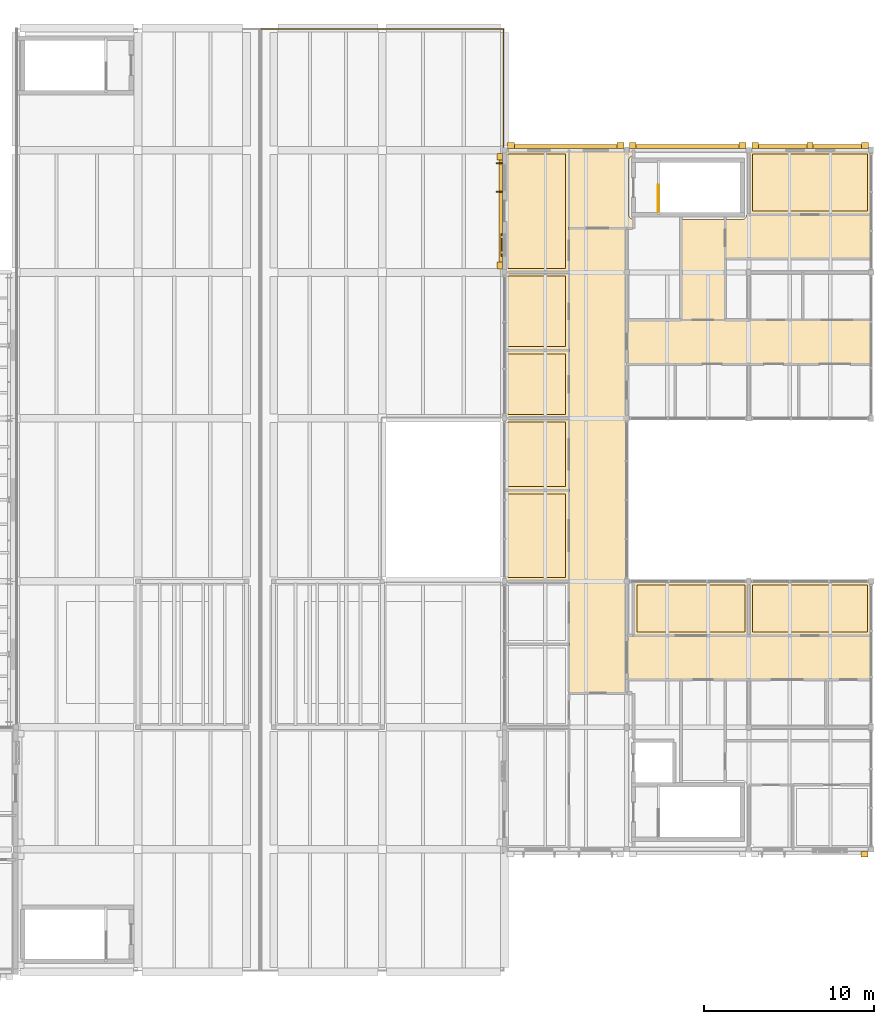
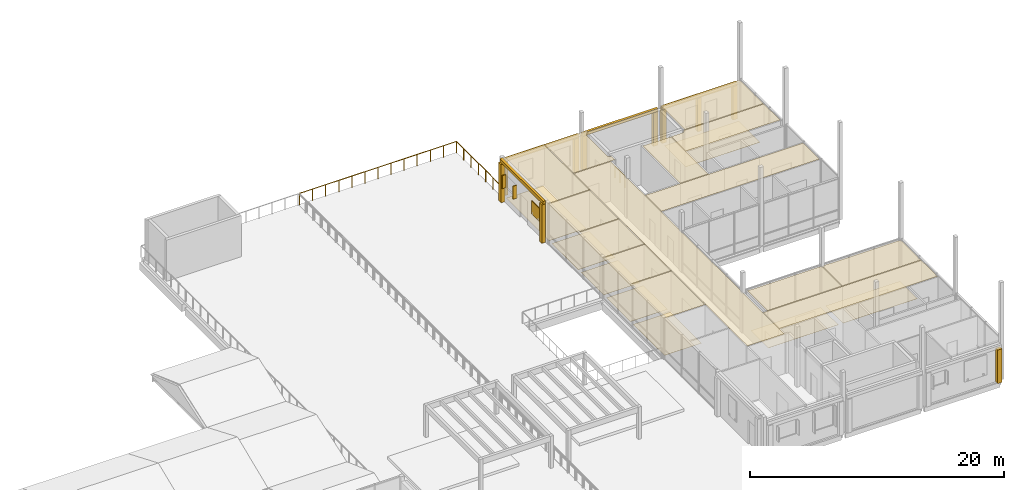
# One storey, part 115 of 115: 36 coverings, 3 shading devices, 2 railings.
"""IFC4 building model written with IfcOpenShell, lengths in metres."""

from ifc_helpers import new_model, si_unit, direction, frame, origin, origin_2d, place, context, subcontext, project, spatial, polyline, rectangle, circle, outline, extrude, material, layer, layer_set, type_object, element, save


model = new_model("IFC4")

# Units and contexts
model_context = context("Model", 3, precision=1e-05, world=origin(), true_north=direction((0.0, 1.0)))
body_context = subcontext(model_context, "Body", "Model", "MODEL_VIEW")
ifc_project = project(units=[si_unit("LENGTHUNIT", "METRE"), si_unit("AREAUNIT", "SQUARE_METRE"), si_unit("VOLUMEUNIT", "CUBIC_METRE"), si_unit("PLANEANGLEUNIT", "RADIAN"), si_unit("MASSUNIT", "GRAM", prefix="KILO")], contexts=[model_context])

# Site, building, storey
site_placement = place(None, origin())
site = spatial("IfcSite", under=ifc_project, at=site_placement, CompositionType="ELEMENT")
building_placement = place(site_placement, origin())
building = spatial("IfcBuilding", under=site, at=building_placement, Name="Hawrajan Terrace Health Centre", CompositionType="ELEMENT")
storey_placement = place(building_placement, frame((0.0, 0.0, 9.0)))
storey = spatial("IfcBuildingStorey", under=building, at=storey_placement, Name="L02", CompositionType="ELEMENT", Elevation=9.0)

# Coverings
ifc_material_1 = material(Name="Precast concrete C40/50", Category="concrete")
ifc_layer_1 = layer(ifc_material_1, 0.219970703125)
ifc_layer_set_1 = layer_set([ifc_layer_1], Name="Precast concrete C40/50")
covering_type_1 = type_object("IfcCoveringType", Name="ArtDecoCorniceBand", PredefinedType="CLADDING", material=ifc_layer_set_1)
covering_1_placement = place(storey_placement, frame((147.409912109375, 52.824951171875, 3.22998046875), z_axis=(0.0, 0.0, 1.0), x_axis=(1.0, 0.0, 0.0)))
element("IfcCovering", 1, at=covering_1_placement, inside=storey, type_object=covering_type_1, Name="Art Deco limestone cornice band CRN-L02-0148", PredefinedType="CLADDING", context=body_context, shape_type="SweptSolid", body=[
    extrude(rectangle(XDim=6.860107421875, YDim=0.219970703125, at=origin_2d()), origin(), (0.0, 0.0, 1.0), 0.300048828125),
])
covering_2_placement = place(storey_placement, frame((143.574951171875, 49.010009765625, 3.68994140625), z_axis=(0.0, 0.0, 1.0), x_axis=(0.0, 1.0, 0.0)))
element("IfcCovering", 2, at=covering_2_placement, inside=storey, type_object=covering_type_1, Name="Art Deco limestone cornice band CRN-L02-0149", PredefinedType="CLADDING", context=body_context, shape_type="SweptSolid", body=[
    extrude(rectangle(XDim=6.820068359375, YDim=0.219970703125, at=origin_2d()), origin(), (0.0, 0.0, 1.0), 0.300048828125),
])
for number, where, z_axis, x_axis, name in (
    (3, (154.590087890625, 52.824951171875, 3.22998046875), (0.0, 0.0, 1.0), (1.0, 0.0, 0.0), "Art Deco limestone cornice band CRN-L02-0151"),
    (4, (161.81005859375, 52.824951171875, 3.22998046875), (0.0, 0.0, 1.0), (1.0, 0.0, 0.0), "Art Deco limestone cornice band CRN-L02-0153"),
):
    element("IfcCovering", number, at=place(storey_placement, frame(where, z_axis=z_axis, x_axis=x_axis)), inside=storey, type_object=covering_type_1, Name=name, PredefinedType="CLADDING", context=body_context, shape_type="SweptSolid", body=[
        extrude(rectangle(XDim=6.860107421875, YDim=0.219970703125, at=origin_2d()), origin(), (0.0, 0.0, 1.0), 0.300048828125),
    ])
ifc_layer_2 = layer(ifc_material_1, 0.340087890625)
ifc_layer_set_2 = layer_set([ifc_layer_2], Name="Precast concrete C40/50")
covering_type_2 = type_object("IfcCoveringType", Name="ArtDecoStonePilaster", PredefinedType="CLADDING", material=ifc_layer_set_2)
for number, where, z_axis, x_axis, name in (
    (5, (144.179931640625, 52.885009765625, 0.0), (0.0, 0.0, 1.0), (1.0, 0.0, 0.0), "Art Deco fluted limestone pilaster FPIL-L02-0286"),
    (6, (150.639892578125, 52.885009765625, 0.0), (0.0, 0.0, 1.0), (1.0, 0.0, 0.0), "Art Deco fluted limestone pilaster FPIL-L02-0287"),
):
    element("IfcCovering", number, at=place(storey_placement, frame(where, z_axis=z_axis, x_axis=x_axis)), inside=storey, type_object=covering_type_2, Name=name, PredefinedType="CLADDING", context=body_context, shape_type="SweptSolid", body=[
        extrude(rectangle(XDim=0.39990234375, YDim=0.340087890625, at=origin_2d()), origin(), (0.0, 0.0, 1.0), 3.219970703125),
    ])
for number, where, z_axis, x_axis, name in (
    (7, (143.514892578125, 45.800048828125, 0.0), (0.0, 0.0, 1.0), (0.0, 1.0, 0.0), "Art Deco fluted limestone pilaster FPIL-L02-0288"),
    (8, (143.514892578125, 52.219970703125, 0.0), (0.0, 0.0, 1.0), (0.0, 1.0, 0.0), "Art Deco fluted limestone pilaster FPIL-L02-0289"),
):
    element("IfcCovering", number, at=place(storey_placement, frame(where, z_axis=z_axis, x_axis=x_axis)), inside=storey, type_object=covering_type_2, Name=name, PredefinedType="CLADDING", context=body_context, shape_type="SweptSolid", body=[
        extrude(rectangle(XDim=0.39990234375, YDim=0.340087890625, at=origin_2d()), origin(), (0.0, 0.0, 1.0), 3.679931640625),
    ])
for number, where, z_axis, x_axis, name in (
    (9, (151.360107421875, 52.885009765625, 0.0), (0.0, 0.0, 1.0), (1.0, 0.0, 0.0), "Art Deco fluted limestone pilaster FPIL-L02-0292"),
    (10, (157.820068359375, 52.885009765625, 0.0), (0.0, 0.0, 1.0), (1.0, 0.0, 0.0), "Art Deco fluted limestone pilaster FPIL-L02-0293"),
    (11, (165.02001953125, 11.114990234375, 0.0), (0.0, 0.0, 1.0), (1.0, 0.0, 0.0), "Art Deco fluted limestone pilaster FPIL-L02-0295"),
    (12, (158.580078125, 52.885009765625, 0.0), (0.0, 0.0, 1.0), (1.0, 0.0, 0.0), "Art Deco fluted limestone pilaster FPIL-L02-0296"),
    (13, (165.0400390625, 52.885009765625, 0.0), (0.0, 0.0, 1.0), (1.0, 0.0, 0.0), "Art Deco fluted limestone pilaster FPIL-L02-0297"),
):
    element("IfcCovering", number, at=place(storey_placement, frame(where, z_axis=z_axis, x_axis=x_axis)), inside=storey, type_object=covering_type_2, Name=name, PredefinedType="CLADDING", context=body_context, shape_type="SweptSolid", body=[
        extrude(rectangle(XDim=0.39990234375, YDim=0.340087890625, at=origin_2d()), origin(), (0.0, 0.0, 1.0), 3.219970703125),
    ])
covering_3_placement = place(storey_placement, frame((161.81005859375, 52.885009765625, 0.0), z_axis=(0.0, 0.0, 1.0), x_axis=(1.0, 0.0, 0.0)))
element("IfcCovering", 14, at=covering_3_placement, inside=storey, type_object=covering_type_2, Name="Art Deco mullion pilaster FPIL-L02-0298", PredefinedType="CLADDING", context=body_context, shape_type="SweptSolid", body=[
    extrude(rectangle(XDim=0.360107421875, YDim=0.340087890625, at=origin_2d()), origin(), (0.0, 0.0, 1.0), 3.219970703125),
])
ifc_material_2 = material(Name="Hygienic mineral-fibre acoustic tile ceiling")
ifc_layer_3 = layer(ifc_material_2, 0.02490234375)
ifc_layer_set_3 = layer_set([ifc_layer_3], Name="Hygienic mineral-fibre acoustic tile ceiling")
covering_type_3 = type_object("IfcCoveringType", Name="ClinicalAcousticCeiling_25", PredefinedType="CEILING", material=ifc_layer_set_3)
covering_4_placement = place(storey_placement, frame((0.0, 0.0, 3.7548828125)))
element("IfcCovering", 15, at=covering_4_placement, inside=storey, type_object=covering_type_3, Name="Suspended ceiling L02-030", PredefinedType="CEILING", context=body_context, shape_type="SweptSolid", body=[
    extrude(outline(polyline([(147.6201171875, 47.97998046875), (150.97998046875, 47.97998046875), (150.97998046875, 20.6201171875), (147.6201171875, 20.6201171875), (147.6201171875, 47.97998046875)])), origin(), (0.0, 0.0, 1.0), 0.025146484375),
])
covering_5_placement = place(storey_placement, frame((0.0, 0.0, 3.7548828125)))
element("IfcCovering", 16, at=covering_5_placement, inside=storey, type_object=covering_type_3, Name="Suspended ceiling L02-031", PredefinedType="CEILING", context=body_context, shape_type="SweptSolid", body=[
    extrude(outline(polyline([(151.3798828125, 48.02001953125), (147.6201171875, 48.02001953125), (147.6201171875, 52.580078125), (151.3798828125, 52.580078125), (151.3798828125, 52.26904296875), (151.37451171875, 52.268798828125), (151.37255859375, 52.2685546875), (151.348388671875, 52.264892578125), (151.346435546875, 52.2646484375), (151.322509765625, 52.258544921875), (151.32080078125, 52.258056640625), (151.297607421875, 52.249755859375), (151.2958984375, 52.2490234375), (151.273681640625, 52.238525390625), (151.27197265625, 52.237548828125), (151.250732421875, 52.22509765625), (151.249267578125, 52.223876953125), (151.2294921875, 52.209228515625), (151.22802734375, 52.2080078125), (151.209716796875, 52.191650390625), (151.20849609375, 52.190185546875), (151.19189453125, 52.172119140625), (151.190673828125, 52.17041015625), (151.176025390625, 52.15087890625), (151.175048828125, 52.149169921875), (151.162353515625, 52.128173828125), (151.161376953125, 52.12646484375), (151.15087890625, 52.104248046875), (151.150146484375, 52.102294921875), (151.141845703125, 52.079345703125), (151.141357421875, 52.077392578125), (151.135498046875, 52.0537109375), (151.135009765625, 52.0517578125), (151.13134765625, 52.02734375), (151.131103515625, 52.025390625), (151.1298828125, 52.0009765625), (151.1298828125, 52.0), (151.1298828125, 48.800048828125), (151.1298828125, 48.799072265625), (151.131103515625, 48.7744140625), (151.13134765625, 48.772705078125), (151.135009765625, 48.748291015625), (151.135498046875, 48.746337890625), (151.141357421875, 48.72265625), (151.141845703125, 48.720703125), (151.150146484375, 48.697509765625), (151.15087890625, 48.69580078125), (151.161376953125, 48.673583984375), (151.162353515625, 48.671875), (151.175048828125, 48.65087890625), (151.176025390625, 48.649169921875), (151.190673828125, 48.62939453125), (151.19189453125, 48.6279296875), (151.20849609375, 48.60986328125), (151.209716796875, 48.6083984375), (151.22802734375, 48.591796875), (151.2294921875, 48.5908203125), (151.249267578125, 48.576171875), (151.250732421875, 48.574951171875), (151.27197265625, 48.5625), (151.273681640625, 48.561279296875), (151.2958984375, 48.551025390625), (151.297607421875, 48.55029296875), (151.32080078125, 48.5419921875), (151.322509765625, 48.54150390625), (151.346435546875, 48.535400390625), (151.348388671875, 48.534912109375), (151.37255859375, 48.531494140625), (151.37451171875, 48.53125), (151.3798828125, 48.531005859375), (151.3798828125, 48.02001953125)])), origin(), (0.0, 0.0, 1.0), 0.025146484375),
])
covering_6_placement = place(storey_placement, frame((0.0, 0.0, 3.7548828125)))
element("IfcCovering", 17, at=covering_6_placement, inside=storey, type_object=covering_type_3, Name="Suspended ceiling L02-032", PredefinedType="CEILING", context=body_context, shape_type="SweptSolid", body=[
    extrude(outline(polyline([(151.02001953125, 23.97998046875), (165.3798828125, 23.97998046875), (165.3798828125, 21.419921875), (151.02001953125, 21.419921875), (151.02001953125, 23.97998046875)])), origin(), (0.0, 0.0, 1.0), 0.025146484375),
])
covering_7_placement = place(storey_placement, frame((0.0, 0.0, 3.7548828125)))
element("IfcCovering", 18, at=covering_7_placement, inside=storey, type_object=covering_type_3, Name="Suspended ceiling L02-035", PredefinedType="CEILING", context=body_context, shape_type="SweptSolid", body=[
    extrude(outline(polyline([(151.02001953125, 42.580078125), (165.3798828125, 42.580078125), (165.3798828125, 40.02001953125), (151.02001953125, 40.02001953125), (151.02001953125, 42.580078125)])), origin(), (0.0, 0.0, 1.0), 0.025146484375),
])
covering_8_placement = place(storey_placement, frame((0.0, 0.0, 3.7548828125)))
element("IfcCovering", 19, at=covering_8_placement, inside=storey, type_object=covering_type_3, Name="Suspended ceiling L02-036", PredefinedType="CEILING", context=body_context, shape_type="SweptSolid", body=[
    extrude(outline(polyline([(156.780029296875, 42.6201171875), (154.219970703125, 42.6201171875), (154.219970703125, 48.530029296875), (156.780029296875, 48.530029296875), (156.780029296875, 42.6201171875)])), origin(), (0.0, 0.0, 1.0), 0.025146484375),
])
covering_9_placement = place(storey_placement, frame((0.0, 0.0, 3.7548828125)))
element("IfcCovering", 20, at=covering_9_placement, inside=storey, type_object=covering_type_3, Name="Suspended ceiling L02-037", PredefinedType="CEILING", context=body_context, shape_type="SweptSolid", body=[
    extrude(outline(polyline([(165.3798828125, 48.780029296875), (165.3798828125, 46.219970703125), (156.820068359375, 46.219970703125), (156.820068359375, 48.530029296875), (157.800048828125, 48.530029296875), (157.801025390625, 48.530029296875), (157.825439453125, 48.53125), (157.827392578125, 48.531494140625), (157.851806640625, 48.534912109375), (157.853515625, 48.535400390625), (157.87744140625, 48.54150390625), (157.87939453125, 48.5419921875), (157.90234375, 48.55029296875), (157.904296875, 48.551025390625), (157.926513671875, 48.561279296875), (157.927978515625, 48.5625), (157.94921875, 48.574951171875), (157.95068359375, 48.576171875), (157.970458984375, 48.5908203125), (157.971923828125, 48.591796875), (157.990234375, 48.6083984375), (157.99169921875, 48.60986328125), (158.008056640625, 48.6279296875), (158.00927734375, 48.62939453125), (158.02392578125, 48.649169921875), (158.02490234375, 48.65087890625), (158.03759765625, 48.671875), (158.03857421875, 48.673583984375), (158.049072265625, 48.69580078125), (158.0498046875, 48.697509765625), (158.05810546875, 48.720703125), (158.05859375, 48.72265625), (158.064697265625, 48.746337890625), (158.06494140625, 48.748291015625), (158.068603515625, 48.772705078125), (158.06884765625, 48.7744140625), (158.069091796875, 48.780029296875), (165.3798828125, 48.780029296875)])), origin(), (0.0, 0.0, 1.0), 0.025146484375),
])
covering_10_placement = place(storey_placement, frame((0.0, 0.0, 3.7548828125)))
element("IfcCovering", 21, at=covering_10_placement, inside=storey, type_object=covering_type_3, Name="Suspended ceiling L02-125", PredefinedType="CEILING", context=body_context, shape_type="SweptSolid", body=[
    extrude(outline(polyline([(143.820068359375, 32.54638671875), (147.580078125, 32.54638671875), (147.580078125, 27.219970703125), (143.820068359375, 27.219970703125), (143.820068359375, 32.54638671875)])), origin(), (0.0, 0.0, 1.0), 0.025146484375),
])
covering_11_placement = place(storey_placement, frame((0.0, 0.0, 3.7548828125)))
element("IfcCovering", 22, at=covering_11_placement, inside=storey, type_object=covering_type_3, Name="Suspended ceiling L02-126", PredefinedType="CEILING", context=body_context, shape_type="SweptSolid", body=[
    extrude(outline(polyline([(143.820068359375, 36.780029296875), (147.580078125, 36.780029296875), (147.580078125, 32.58642578125), (143.820068359375, 32.58642578125), (143.820068359375, 36.780029296875)])), origin(), (0.0, 0.0, 1.0), 0.025146484375),
])
covering_12_placement = place(storey_placement, frame((0.0, 0.0, 3.7548828125)))
element("IfcCovering", 23, at=covering_12_placement, inside=storey, type_object=covering_type_3, Name="Suspended ceiling L02-127", PredefinedType="CEILING", context=body_context, shape_type="SweptSolid", body=[
    extrude(outline(polyline([(143.820068359375, 40.78759765625), (147.580078125, 40.78759765625), (147.580078125, 36.820068359375), (143.820068359375, 36.820068359375), (143.820068359375, 40.78759765625)])), origin(), (0.0, 0.0, 1.0), 0.025146484375),
])
covering_13_placement = place(storey_placement, frame((0.0, 0.0, 3.7548828125)))
element("IfcCovering", 24, at=covering_13_placement, inside=storey, type_object=covering_type_3, Name="Suspended ceiling L02-128", PredefinedType="CEILING", context=body_context, shape_type="SweptSolid", body=[
    extrude(outline(polyline([(143.820068359375, 45.3798828125), (147.580078125, 45.3798828125), (147.580078125, 40.82763671875), (143.820068359375, 40.82763671875), (143.820068359375, 45.3798828125)])), origin(), (0.0, 0.0, 1.0), 0.025146484375),
])
covering_14_placement = place(storey_placement, frame((0.0, 0.0, 3.7548828125)))
element("IfcCovering", 25, at=covering_14_placement, inside=storey, type_object=covering_type_3, Name="Suspended ceiling L02-129", PredefinedType="CEILING", context=body_context, shape_type="SweptSolid", body=[
    extrude(outline(polyline([(143.820068359375, 52.580078125), (147.580078125, 52.580078125), (147.580078125, 45.419921875), (143.820068359375, 45.419921875), (143.820068359375, 52.580078125)])), origin(), (0.0, 0.0, 1.0), 0.025146484375),
])
covering_15_placement = place(storey_placement, frame((0.0, 0.0, 3.7548828125)))
element("IfcCovering", 26, at=covering_15_placement, inside=storey, type_object=covering_type_3, Name="Suspended ceiling L02-130", PredefinedType="CEILING", context=body_context, shape_type="SweptSolid", body=[
    extrude(outline(polyline([(151.419921875, 27.179931640625), (158.179931640625, 27.179931640625), (158.179931640625, 24.02001953125), (151.419921875, 24.02001953125), (151.419921875, 27.179931640625)])), origin(), (0.0, 0.0, 1.0), 0.025146484375),
])
covering_16_placement = place(storey_placement, frame((0.0, 0.0, 3.7548828125)))
element("IfcCovering", 27, at=covering_16_placement, inside=storey, type_object=covering_type_3, Name="Suspended ceiling L02-136", PredefinedType="CEILING", context=body_context, shape_type="SweptSolid", body=[
    extrude(outline(polyline([(158.219970703125, 27.179931640625), (165.3798828125, 27.179931640625), (165.3798828125, 24.02001953125), (158.219970703125, 24.02001953125), (158.219970703125, 27.179931640625)])), origin(), (0.0, 0.0, 1.0), 0.025146484375),
])
covering_17_placement = place(storey_placement, frame((0.0, 0.0, 3.7548828125)))
element("IfcCovering", 28, at=covering_17_placement, inside=storey, type_object=covering_type_3, Name="Suspended ceiling L02-141", PredefinedType="CEILING", context=body_context, shape_type="SweptSolid", body=[
    extrude(outline(polyline([(158.219970703125, 52.580078125), (165.3798828125, 52.580078125), (165.3798828125, 48.820068359375), (158.219970703125, 48.820068359375), (158.219970703125, 52.580078125)])), origin(), (0.0, 0.0, 1.0), 0.025146484375),
])
ifc_material_3 = material(Name="Seamless medical-grade cushioned vinyl flooring")
ifc_layer_4 = layer(ifc_material_3, 0.011962890625)
ifc_layer_set_4 = layer_set([ifc_layer_4], Name="Seamless medical-grade cushioned vinyl flooring")
covering_type_4 = type_object("IfcCoveringType", Name="ClinicalVinylFlooring_12", PredefinedType="FLOORING", material=ifc_layer_set_4)
covering_18_placement = place(storey_placement, origin())
element("IfcCovering", 29, at=covering_18_placement, inside=storey, type_object=covering_type_4, Name="Floor finish L02-125", PredefinedType="FLOORING", context=body_context, shape_type="SweptSolid", body=[
    extrude(outline(polyline([(144.02001953125, 32.346435546875), (147.3798828125, 32.346435546875), (147.3798828125, 27.419921875), (144.02001953125, 27.419921875), (144.02001953125, 32.346435546875)])), origin(), (0.0, 0.0, 1.0), 0.011962890625),
])
covering_19_placement = place(storey_placement, origin())
element("IfcCovering", 30, at=covering_19_placement, inside=storey, type_object=covering_type_4, Name="Floor finish L02-126", PredefinedType="FLOORING", context=body_context, shape_type="SweptSolid", body=[
    extrude(outline(polyline([(144.02001953125, 36.580078125), (147.3798828125, 36.580078125), (147.3798828125, 32.786376953125), (144.02001953125, 32.786376953125), (144.02001953125, 36.580078125)])), origin(), (0.0, 0.0, 1.0), 0.011962890625),
])
covering_20_placement = place(storey_placement, origin())
element("IfcCovering", 31, at=covering_20_placement, inside=storey, type_object=covering_type_4, Name="Floor finish L02-127", PredefinedType="FLOORING", context=body_context, shape_type="SweptSolid", body=[
    extrude(outline(polyline([(144.02001953125, 40.587646484375), (147.3798828125, 40.587646484375), (147.3798828125, 37.02001953125), (144.02001953125, 37.02001953125), (144.02001953125, 40.587646484375)])), origin(), (0.0, 0.0, 1.0), 0.011962890625),
])
covering_21_placement = place(storey_placement, origin())
element("IfcCovering", 32, at=covering_21_placement, inside=storey, type_object=covering_type_4, Name="Floor finish L02-128", PredefinedType="FLOORING", context=body_context, shape_type="SweptSolid", body=[
    extrude(outline(polyline([(144.02001953125, 45.179931640625), (147.3798828125, 45.179931640625), (147.3798828125, 41.027587890625), (144.02001953125, 41.027587890625), (144.02001953125, 45.179931640625)])), origin(), (0.0, 0.0, 1.0), 0.011962890625),
])
covering_22_placement = place(storey_placement, origin())
element("IfcCovering", 33, at=covering_22_placement, inside=storey, type_object=covering_type_4, Name="Floor finish L02-129", PredefinedType="FLOORING", context=body_context, shape_type="SweptSolid", body=[
    extrude(outline(polyline([(144.02001953125, 52.3798828125), (147.3798828125, 52.3798828125), (147.3798828125, 45.6201171875), (144.02001953125, 45.6201171875), (144.02001953125, 52.3798828125)])), origin(), (0.0, 0.0, 1.0), 0.011962890625),
])
covering_23_placement = place(storey_placement, origin())
element("IfcCovering", 34, at=covering_23_placement, inside=storey, type_object=covering_type_4, Name="Floor finish L02-130", PredefinedType="FLOORING", context=body_context, shape_type="SweptSolid", body=[
    extrude(outline(polyline([(151.6201171875, 26.97998046875), (157.97998046875, 26.97998046875), (157.97998046875, 24.219970703125), (151.6201171875, 24.219970703125), (151.6201171875, 26.97998046875)])), origin(), (0.0, 0.0, 1.0), 0.011962890625),
])
covering_24_placement = place(storey_placement, origin())
element("IfcCovering", 35, at=covering_24_placement, inside=storey, type_object=covering_type_4, Name="Floor finish L02-136", PredefinedType="FLOORING", context=body_context, shape_type="SweptSolid", body=[
    extrude(outline(polyline([(158.419921875, 26.97998046875), (165.179931640625, 26.97998046875), (165.179931640625, 24.219970703125), (158.419921875, 24.219970703125), (158.419921875, 26.97998046875)])), origin(), (0.0, 0.0, 1.0), 0.011962890625),
])
covering_25_placement = place(storey_placement, origin())
element("IfcCovering", 36, at=covering_25_placement, inside=storey, type_object=covering_type_4, Name="Floor finish L02-141", PredefinedType="FLOORING", context=body_context, shape_type="SweptSolid", body=[
    extrude(outline(polyline([(158.419921875, 52.3798828125), (165.179931640625, 52.3798828125), (165.179931640625, 49.02001953125), (158.419921875, 49.02001953125), (158.419921875, 52.3798828125)])), origin(), (0.0, 0.0, 1.0), 0.011962890625),
])

# Shading devices
ifc_material_4 = material(Name="Anodized bronze mashrabiya vertical solar fin")
ifc_layer_5 = layer(ifc_material_4, 0.080078125)
ifc_layer_set_5 = layer_set([ifc_layer_5], Name="Anodized bronze mashrabiya vertical solar fin")
shading_device_type_1 = type_object("IfcShadingDeviceType", Name="MashrabiyaVerticalFin", PredefinedType="USERDEFINED", material=ifc_layer_set_5)
for number, where, z_axis, x_axis, name in (
    (37, (143.5048828125, 50.155029296875, 1.5), (0.0, 0.0, 1.0), (0.0, 1.0, 0.0), "Bronze mashrabiya solar fin FIN-L02-0197"),
    (38, (143.5048828125, 51.8349609375, 1.5), (0.0, 0.0, 1.0), (0.0, 1.0, 0.0), "Bronze mashrabiya solar fin FIN-L02-0198"),
):
    element("IfcShadingDevice", number, at=place(storey_placement, frame(where, z_axis=z_axis, x_axis=x_axis)), inside=storey, type_object=shading_device_type_1, Name=name, ObjectType="SOLAR_FIN", PredefinedType="USERDEFINED", context=body_context, shape_type="SweptSolid", body=[
        extrude(rectangle(XDim=0.080078125, YDim=0.360107421875, at=origin_2d()), origin(), (0.0, 0.0, 1.0), 1.25),
    ])
ifc_material_5 = material(Name="Anodized bronze and cedar roshan lattice")
ifc_layer_6 = layer(ifc_material_5, 0.080078125)
ifc_layer_set_6 = layer_set([ifc_layer_6], Name="Anodized bronze and cedar roshan lattice")
shading_device_type_2 = type_object("IfcShadingDeviceType", Name="RoshanScreen_BronzeCedar", PredefinedType="JALOUSIE", material=ifc_layer_set_6)
shading_device_placement = place(storey_placement, frame((143.639892578125, 47.02490234375, 1.5), z_axis=(0.0, 0.0, 1.0), x_axis=(0.0, 1.0, 0.0)))
element("IfcShadingDevice", 39, at=shading_device_placement, inside=storey, type_object=shading_device_type_2, Name="Hijazi roshan solar screen RSH-L02-196", PredefinedType="JALOUSIE", context=body_context, shape_type="SweptSolid", body=[
    extrude(rectangle(XDim=1.320068359375, YDim=0.080078125, at=origin_2d()), origin(), (0.0, 0.0, 1.0), 1.25),
])

# Railings
ifc_material_6 = material(Name="Painted steel stair well guard", Category="steel")
railing_type_1 = type_object("IfcRailingType", Name="StairWellGuard_1120", PredefinedType="GUARDRAIL", material=ifc_material_6)
railing_1_placement = place(storey_placement, frame((152.860107421875, 48.97998046875, 0.0)))
element("IfcRailing", 40, at=railing_1_placement, inside=storey, type_object=railing_type_1, Name="Stair top well guard ST-9", PredefinedType="GUARDRAIL", context=body_context, shape_type="SweptSolid", body=[
    extrude(circle(Radius=0.02392578125, at=origin_2d()), frame((0.0, 0.02880859375, 1.09619140625), z_axis=(0.0, 1.0, 0.0), x_axis=(-1.0, 0.0, 0.0)), (0.0, 0.0, 1.0), 1.50244140625),
    extrude(circle(Radius=0.02099609375, at=origin_2d()), origin(), (0.0, 0.0, 1.0), 1.067138671875),
    extrude(circle(Radius=0.02099609375, at=origin_2d()), frame((0.0, 0.780029296875, 0.0)), (0.0, 0.0, 1.0), 1.067138671875),
    extrude(circle(Radius=0.02099609375, at=origin_2d()), frame((0.0, 1.56005859375, 0.0)), (0.0, 0.0, 1.0), 1.067138671875),
])
ifc_material_7 = material(Name="Anodized bronze post and balustrade guard")
railing_type_2 = type_object("IfcRailingType", Name="TerraceGuard_1120", PredefinedType="GUARDRAIL", material=ifc_material_7)
railing_2_placement = place(storey_placement, frame((129.465087890625, 59.739990234375, 0.0)))
element("IfcRailing", 41, at=railing_2_placement, inside=storey, type_object=railing_type_2, Name="Terrace perimeter guard L02-004", PredefinedType="GUARDRAIL", context=body_context, shape_type="SweptSolid", body=[
    extrude(circle(Radius=0.02392578125, at=origin_2d()), frame((0.02880859375, 0.0, 1.09619140625), z_axis=(1.0, 0.0, 0.0), x_axis=(0.0, 1.0, 0.0)), (0.0, 0.0, 1.0), 14.21728515625),
    extrude(circle(Radius=0.02392578125, at=origin_2d()), frame((14.27490234375, -0.02880859375, 1.09619140625), z_axis=(0.0, -1.0, 0.0), x_axis=(1.0, 0.0, 0.0)), (0.0, 0.0, 1.0), 6.870849609375),
    extrude(circle(Radius=0.02099609375, at=origin_2d()), origin(), (0.0, 0.0, 1.0), 1.067138671875),
    extrude(circle(Radius=0.02099609375, at=origin_2d()), frame((1.189453125, 0.0, 0.0)), (0.0, 0.0, 1.0), 1.067138671875),
    extrude(circle(Radius=0.02099609375, at=origin_2d()), frame((2.379150390625, 0.0, 0.0)), (0.0, 0.0, 1.0), 1.067138671875),
    extrude(circle(Radius=0.02099609375, at=origin_2d()), frame((3.56884765625, 0.0, 0.0)), (0.0, 0.0, 1.0), 1.067138671875),
    extrude(circle(Radius=0.02099609375, at=origin_2d()), frame((4.75830078125, 0.0, 0.0)), (0.0, 0.0, 1.0), 1.067138671875),
    extrude(circle(Radius=0.02099609375, at=origin_2d()), frame((5.94775390625, 0.0, 0.0)), (0.0, 0.0, 1.0), 1.067138671875),
    extrude(circle(Radius=0.02099609375, at=origin_2d()), frame((7.137451171875, 0.0, 0.0)), (0.0, 0.0, 1.0), 1.067138671875),
    extrude(circle(Radius=0.02099609375, at=origin_2d()), frame((8.3271484375, 0.0, 0.0)), (0.0, 0.0, 1.0), 1.067138671875),
    extrude(circle(Radius=0.02099609375, at=origin_2d()), frame((9.5166015625, 0.0, 0.0)), (0.0, 0.0, 1.0), 1.067138671875),
    extrude(circle(Radius=0.02099609375, at=origin_2d()), frame((10.7060546875, 0.0, 0.0)), (0.0, 0.0, 1.0), 1.067138671875),
    extrude(circle(Radius=0.02099609375, at=origin_2d()), frame((11.895751953125, 0.0, 0.0)), (0.0, 0.0, 1.0), 1.067138671875),
    extrude(circle(Radius=0.02099609375, at=origin_2d()), frame((13.08544921875, 0.0, 0.0)), (0.0, 0.0, 1.0), 1.067138671875),
    extrude(circle(Radius=0.02099609375, at=origin_2d()), frame((14.27490234375, 0.0, 0.0)), (0.0, 0.0, 1.0), 1.067138671875),
    extrude(circle(Radius=0.02099609375, at=origin_2d()), frame((14.27490234375, -1.15478515625, 0.0)), (0.0, 0.0, 1.0), 1.067138671875),
    extrude(circle(Radius=0.02099609375, at=origin_2d()), frame((14.27490234375, -2.3095703125, 0.0)), (0.0, 0.0, 1.0), 1.067138671875),
    extrude(circle(Radius=0.02099609375, at=origin_2d()), frame((14.27490234375, -3.46435546875, 0.0)), (0.0, 0.0, 1.0), 1.067138671875),
    extrude(circle(Radius=0.02099609375, at=origin_2d()), frame((14.27490234375, -4.618896484375, 0.0)), (0.0, 0.0, 1.0), 1.067138671875),
    extrude(circle(Radius=0.02099609375, at=origin_2d()), frame((14.27490234375, -5.773681640625, 0.0)), (0.0, 0.0, 1.0), 1.067138671875),
    extrude(circle(Radius=0.02099609375, at=origin_2d()), frame((14.27490234375, -6.928466796875, 0.0)), (0.0, 0.0, 1.0), 1.067138671875),
])

save(model, "model.ifc")
